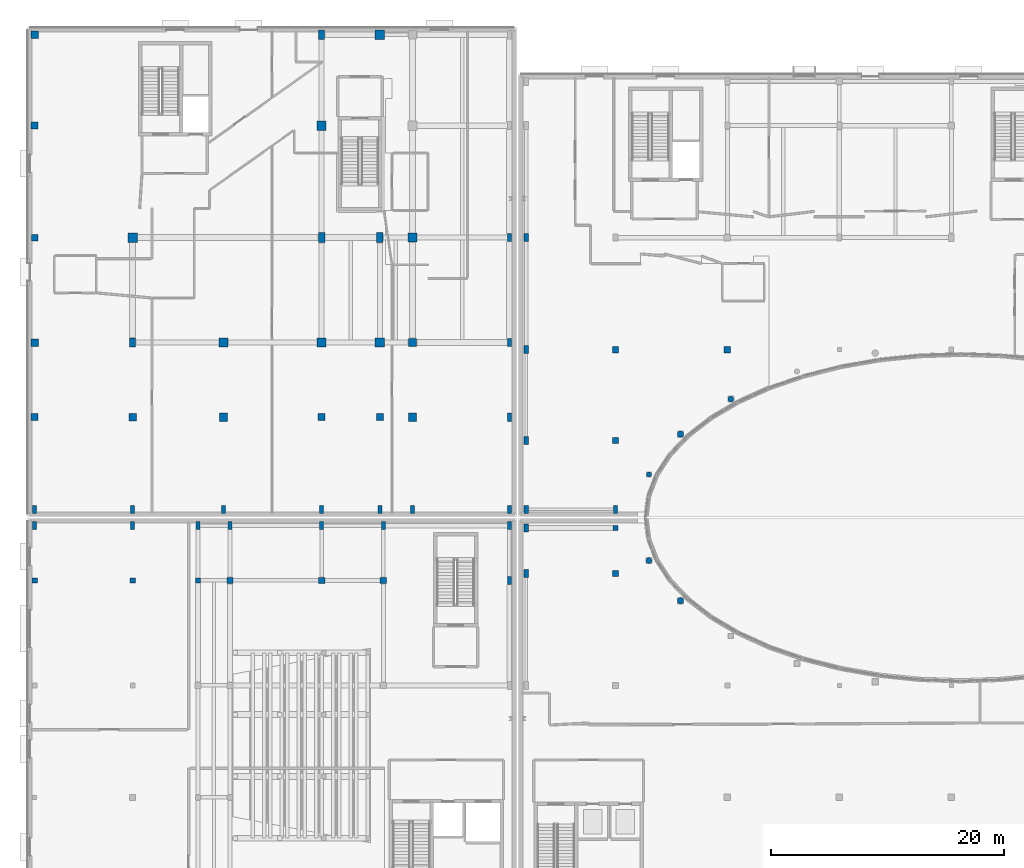
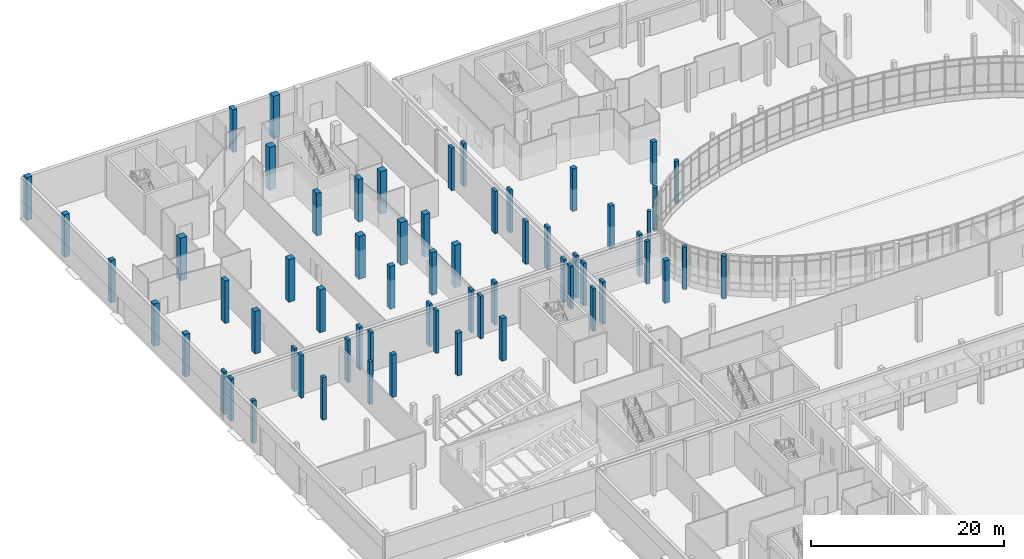
# One storey, part 5 of 84: 63 columns.
"""IFC4 building model written with IfcOpenShell, lengths in metres."""

from ifc_helpers import new_model, si_unit, direction, frame, origin, origin_2d, place, context, subcontext, project, spatial, rectangle, circle, extrude, material, material_profile, profile_set, type_object, element, save


model = new_model("IFC4")

# Units and contexts
model_context = context("Model", 3, precision=1e-05, world=origin(), true_north=direction((0.0, 1.0)))
body_context = subcontext(model_context, "Body", "Model", "MODEL_VIEW")
ifc_project = project(units=[si_unit("LENGTHUNIT", "METRE"), si_unit("AREAUNIT", "SQUARE_METRE"), si_unit("VOLUMEUNIT", "CUBIC_METRE"), si_unit("PLANEANGLEUNIT", "RADIAN"), si_unit("MASSUNIT", "GRAM", prefix="KILO")], contexts=[model_context])

# Site, building, storey
site_placement = place(None, origin())
site = spatial("IfcSite", under=ifc_project, at=site_placement, CompositionType="ELEMENT")
building_placement = place(site_placement, origin())
building = spatial("IfcBuilding", under=site, at=building_placement, Name="Mzevani Central Library", CompositionType="ELEMENT")
storey_placement = place(building_placement, origin())
storey = spatial("IfcBuildingStorey", under=building, at=storey_placement, Name="L00", CompositionType="ELEMENT", Elevation=0.0)

# Columns
ifc_material = material(Name="Concrete C40/50", Category="concrete")
ifc_material_profile_1 = material_profile(ifc_material, rectangle(XDim=0.39990234375, YDim=0.39990234375, at=origin_2d()), Name="RC 400x400")
ifc_profile_set_1 = profile_set([ifc_material_profile_1], Name="Concrete C40/50")
column_type_1 = type_object("IfcColumnType", Name="Column RC 400x400", PredefinedType="COLUMN", material=ifc_profile_set_1)
for number, where, z_axis, x_axis, name in (
    (1, (54.39990234375, 75.10009765625, 0.0), (0.0, 0.0, 1.0), (1.0, 0.0, 0.0), "L00 V1 Column C-02 (6)"),
    (2, (18.60009765625, 70.60009765625, 0.0), (0.0, 0.0, 1.0), (1.0, 0.0, 0.0), "L00 V5 Column C-02 (195)"),
):
    element("IfcColumn", number, at=place(storey_placement, frame(where, z_axis=z_axis, x_axis=x_axis)), inside=storey, type_object=column_type_1, Name=name, PredefinedType="COLUMN", context=body_context, shape_type="SweptSolid", body=[
        extrude(rectangle(XDim=0.39990234375, YDim=0.39990234375, at=origin_2d()), origin(), (0.0, 0.0, 1.0), 5.39990234375),
    ])
ifc_material_profile_2 = material_profile(ifc_material, rectangle(XDim=0.449951171875, YDim=0.449951171875, at=origin_2d()), Name="RC 450x450")
ifc_profile_set_2 = profile_set([ifc_material_profile_2], Name="Concrete C40/50")
column_type_2 = type_object("IfcColumnType", Name="Column RC 450x450", PredefinedType="COLUMN", material=ifc_profile_set_2)
for number, where, z_axis, x_axis, name in (
    (3, (4.60009765625, 70.60009765625, 0.0), (0.0, 0.0, 1.0), (1.0, 0.0, 0.0), "L00 V5 Column C-03 (185)"),
    (4, (13.0, 70.60009765625, 0.0), (0.0, 0.0, 1.0), (1.0, 0.0, 0.0), "L00 V5 Column C-03 (190)"),
):
    element("IfcColumn", number, at=place(storey_placement, frame(where, z_axis=z_axis, x_axis=x_axis)), inside=storey, type_object=column_type_2, Name=name, PredefinedType="COLUMN", context=body_context, shape_type="SweptSolid", body=[
        extrude(rectangle(XDim=0.449951171875, YDim=0.449951171875, at=origin_2d()), origin(), (0.0, 0.0, 1.0), 5.39990234375),
    ])
ifc_material_profile_3 = material_profile(ifc_material, rectangle(XDim=0.5, YDim=0.800048828125, at=origin_2d()), Name="RC 500x800")
ifc_profile_set_3 = profile_set([ifc_material_profile_3], Name="Concrete C40/50")
column_type_3 = type_object("IfcColumnType", Name="Column RC 500x800", PredefinedType="COLUMN", material=ifc_profile_set_3)
for number, where, z_axis, x_axis, name in (
    (5, (13.0, 91.0, 0.0), (0.0, 0.0, 1.0), (1.0, 0.0, 0.0), "L00 V2 Column C-15 (71)"),
    (6, (29.199951171875, 117.39990234375, 0.0), (0.0, 0.0, 1.0), (1.0, 0.0, 0.0), "L00 V2 Column C-15 (82)"),
):
    element("IfcColumn", number, at=place(storey_placement, frame(where, z_axis=z_axis, x_axis=x_axis)), inside=storey, type_object=column_type_3, Name=name, PredefinedType="COLUMN", context=body_context, shape_type="SweptSolid", body=[
        extrude(rectangle(XDim=0.5, YDim=0.800048828125, at=origin_2d()), origin(), (0.0, 0.0, 1.0), 5.39990234375),
    ])
ifc_material_profile_4 = material_profile(ifc_material, rectangle(XDim=0.550048828125, YDim=0.550048828125, at=origin_2d()), Name="RC 550x550")
ifc_profile_set_4 = profile_set([ifc_material_profile_4], Name="Concrete C40/50")
column_type_4 = type_object("IfcColumnType", Name="Column RC 550x550", PredefinedType="COLUMN", material=ifc_profile_set_4)
for number, where, z_axis, x_axis, name in (
    (7, (54.39990234375, 71.199951171875, 0.0), (0.0, 0.0, 1.0), (1.0, 0.0, 0.0), "L00 V1 Column C-05 (5)"),
    (8, (4.60009765625, 100.0, 0.0), (0.0, 0.0, 1.0), (1.0, 0.0, 0.0), "L00 V2 Column C-05 (66)"),
    (9, (54.39990234375, 82.60009765625, 0.0), (0.0, 0.0, 1.0), (1.0, 0.0, 0.0), "L00 V3 Column C-05 (107)"),
    (10, (54.39990234375, 90.39990234375, 0.0), (0.0, 0.0, 1.0), (1.0, 0.0, 0.0), "L00 V3 Column C-05 (108)"),
    (11, (64.0, 90.39990234375, 0.0), (0.0, 0.0, 1.0), (1.0, 0.0, 0.0), "L00 V3 Column C-05 (110)"),
    (12, (21.35009765625, 70.60009765625, 0.0), (0.0, 0.0, 1.0), (1.0, 0.0, 0.0), "L00 V5 Column C-05 (200)"),
    (13, (29.199951171875, 70.60009765625, 0.0), (0.0, 0.0, 1.0), (1.0, 0.0, 0.0), "L00 V5 Column C-05 (203)"),
    (14, (34.5, 70.60009765625, 0.0), (0.0, 0.0, 1.0), (1.0, 0.0, 0.0), "L00 V5 Column C-05 (206)"),
):
    element("IfcColumn", number, at=place(storey_placement, frame(where, z_axis=z_axis, x_axis=x_axis)), inside=storey, type_object=column_type_4, Name=name, PredefinedType="COLUMN", context=body_context, shape_type="SweptSolid", body=[
        extrude(rectangle(XDim=0.550048828125, YDim=0.550048828125, at=origin_2d()), origin(), (0.0, 0.0, 1.0), 5.39990234375),
    ])
ifc_material_profile_5 = material_profile(ifc_material, rectangle(XDim=0.550048828125, YDim=0.85009765625, at=origin_2d()), Name="RC 550x850")
ifc_profile_set_5 = profile_set([ifc_material_profile_5], Name="Concrete C40/50")
column_type_5 = type_object("IfcColumnType", Name="Column RC 550x850", PredefinedType="COLUMN", material=ifc_profile_set_5)
for number, where, z_axis, x_axis, name in (
    (15, (29.199951171875, 100.0, 0.0), (0.0, 0.0, 1.0), (1.0, 0.0, 0.0), "L00 V2 Column C-16 (80)"),
    (16, (34.199951171875, 100.0, 0.0), (0.0, 0.0, 1.0), (1.0, 0.0, 0.0), "L00 V2 Column C-16 (86)"),
):
    element("IfcColumn", number, at=place(storey_placement, frame(where, z_axis=z_axis, x_axis=x_axis)), inside=storey, type_object=column_type_5, Name=name, PredefinedType="COLUMN", context=body_context, shape_type="SweptSolid", body=[
        extrude(rectangle(XDim=0.550048828125, YDim=0.85009765625, at=origin_2d()), origin(), (0.0, 0.0, 1.0), 5.39990234375),
    ])
ifc_material_profile_6 = material_profile(ifc_material, rectangle(XDim=0.60009765625, YDim=0.60009765625, at=origin_2d()), Name="RC 600x600")
ifc_profile_set_6 = profile_set([ifc_material_profile_6], Name="Concrete C40/50")
column_type_6 = type_object("IfcColumnType", Name="Column RC 600x600", PredefinedType="COLUMN", material=ifc_profile_set_6)
for number, where, z_axis, x_axis, name in (
    (17, (4.60009765625, 84.60009765625, 0.0), (0.0, 0.0, 1.0), (1.0, 0.0, 0.0), "L00 V2 Column C-06 (64)"),
    (18, (4.60009765625, 109.60009765625, 0.0), (0.0, 0.0, 1.0), (1.0, 0.0, 0.0), "L00 V2 Column C-06 (67)"),
    (19, (29.199951171875, 84.60009765625, 0.0), (0.0, 0.0, 1.0), (1.0, 0.0, 0.0), "L00 V2 Column C-06 (78)"),
    (20, (34.199951171875, 84.60009765625, 0.0), (0.0, 0.0, 1.0), (1.0, 0.0, 0.0), "L00 V2 Column C-06 (84)"),
):
    element("IfcColumn", number, at=place(storey_placement, frame(where, z_axis=z_axis, x_axis=x_axis)), inside=storey, type_object=column_type_6, Name=name, PredefinedType="COLUMN", context=body_context, shape_type="SweptSolid", body=[
        extrude(rectangle(XDim=0.60009765625, YDim=0.60009765625, at=origin_2d()), origin(), (0.0, 0.0, 1.0), 5.39990234375),
    ])
ifc_material_profile_7 = material_profile(ifc_material, rectangle(XDim=0.64990234375, YDim=0.64990234375, at=origin_2d()), Name="RC 650x650")
ifc_profile_set_7 = profile_set([ifc_material_profile_7], Name="Concrete C40/50")
column_type_7 = type_object("IfcColumnType", Name="Column RC 650x650", PredefinedType="COLUMN", material=ifc_profile_set_7)
for number, where, z_axis, x_axis, name in (
    (21, (4.60009765625, 91.0, 0.0), (0.0, 0.0, 1.0), (1.0, 0.0, 0.0), "L00 V2 Column C-07 (65)"),
    (22, (4.60009765625, 117.39990234375, 0.0), (0.0, 0.0, 1.0), (1.0, 0.0, 0.0), "L00 V2 Column C-07 (68)"),
    (23, (13.0, 84.60009765625, 0.0), (0.0, 0.0, 1.0), (1.0, 0.0, 0.0), "L00 V2 Column C-07 (70)"),
):
    element("IfcColumn", number, at=place(storey_placement, frame(where, z_axis=z_axis, x_axis=x_axis)), inside=storey, type_object=column_type_7, Name=name, PredefinedType="COLUMN", context=body_context, shape_type="SweptSolid", body=[
        extrude(rectangle(XDim=0.64990234375, YDim=0.64990234375, at=origin_2d()), origin(), (0.0, 0.0, 1.0), 5.39990234375),
    ])
ifc_material_profile_8 = material_profile(ifc_material, rectangle(XDim=0.699951171875, YDim=0.699951171875, at=origin_2d()), Name="RC 700x700")
ifc_profile_set_8 = profile_set([ifc_material_profile_8], Name="Concrete C40/50")
column_type_8 = type_object("IfcColumnType", Name="Column RC 700x700", PredefinedType="COLUMN", material=ifc_profile_set_8)
for number, where, z_axis, x_axis, name in (
    (24, (20.800048828125, 84.60009765625, 0.0), (0.0, 0.0, 1.0), (1.0, 0.0, 0.0), "L00 V2 Column C-08 (74)"),
    (25, (37.0, 84.60009765625, 0.0), (0.0, 0.0, 1.0), (1.0, 0.0, 0.0), "L00 V2 Column C-08 (89)"),
    (26, (37.0, 91.0, 0.0), (0.0, 0.0, 1.0), (1.0, 0.0, 0.0), "L00 V2 Column C-08 (90)"),
):
    element("IfcColumn", number, at=place(storey_placement, frame(where, z_axis=z_axis, x_axis=x_axis)), inside=storey, type_object=column_type_8, Name=name, PredefinedType="COLUMN", context=body_context, shape_type="SweptSolid", body=[
        extrude(rectangle(XDim=0.699951171875, YDim=0.699951171875, at=origin_2d()), origin(), (0.0, 0.0, 1.0), 5.39990234375),
    ])
ifc_material_profile_9 = material_profile(ifc_material, rectangle(XDim=0.75, YDim=0.75, at=origin_2d()), Name="RC 750x750")
ifc_profile_set_9 = profile_set([ifc_material_profile_9], Name="Concrete C40/50")
column_type_9 = type_object("IfcColumnType", Name="Column RC 750x750", PredefinedType="COLUMN", material=ifc_profile_set_9)
for number, where, z_axis, x_axis, name in (
    (27, (20.800048828125, 91.0, 0.0), (0.0, 0.0, 1.0), (1.0, 0.0, 0.0), "L00 V2 Column C-09 (75)"),
    (28, (37.0, 100.0, 0.0), (0.0, 0.0, 1.0), (1.0, 0.0, 0.0), "L00 V2 Column C-09 (91)"),
):
    element("IfcColumn", number, at=place(storey_placement, frame(where, z_axis=z_axis, x_axis=x_axis)), inside=storey, type_object=column_type_9, Name=name, PredefinedType="COLUMN", context=body_context, shape_type="SweptSolid", body=[
        extrude(rectangle(XDim=0.75, YDim=0.75, at=origin_2d()), origin(), (0.0, 0.0, 1.0), 5.39990234375),
    ])
ifc_material_profile_10 = material_profile(ifc_material, rectangle(XDim=0.800048828125, YDim=0.800048828125, at=origin_2d()), Name="RC 800x800")
ifc_profile_set_10 = profile_set([ifc_material_profile_10], Name="Concrete C40/50")
column_type_10 = type_object("IfcColumnType", Name="Column RC 800x800", PredefinedType="COLUMN", material=ifc_profile_set_10)
for number, where, z_axis, x_axis, name in (
    (29, (13.0, 100.0, 0.0), (0.0, 0.0, 1.0), (1.0, 0.0, 0.0), "L00 V2 Column C-10 (72)"),
    (30, (29.199951171875, 91.0, 0.0), (0.0, 0.0, 1.0), (1.0, 0.0, 0.0), "L00 V2 Column C-10 (79)"),
    (31, (29.199951171875, 109.60009765625, 0.0), (0.0, 0.0, 1.0), (1.0, 0.0, 0.0), "L00 V2 Column C-10 (81)"),
    (32, (34.199951171875, 91.0, 0.0), (0.0, 0.0, 1.0), (1.0, 0.0, 0.0), "L00 V2 Column C-10 (85)"),
    (33, (34.199951171875, 117.39990234375, 0.0), (0.0, 0.0, 1.0), (1.0, 0.0, 0.0), "L00 V2 Column C-10 (87)"),
):
    element("IfcColumn", number, at=place(storey_placement, frame(where, z_axis=z_axis, x_axis=x_axis)), inside=storey, type_object=column_type_10, Name=name, PredefinedType="COLUMN", context=body_context, shape_type="SweptSolid", body=[
        extrude(rectangle(XDim=0.800048828125, YDim=0.800048828125, at=origin_2d()), origin(), (0.0, 0.0, 1.0), 5.39990234375),
    ])
ifc_material_profile_11 = material_profile(ifc_material, circle(Radius=0.22509765625, at=origin_2d()), Name="RC D450")
ifc_profile_set_11 = profile_set([ifc_material_profile_11], Name="Concrete C40/50")
column_type_11 = type_object("IfcColumnType", Name="Court Column RC D450", PredefinedType="COLUMN", material=ifc_profile_set_11)
column_placement = place(storey_placement, frame((57.27099609375, 79.69091796875, 0.0), z_axis=(0.0, 0.0, 1.0), x_axis=(1.0, 0.0, 0.0)))
element("IfcColumn", 34, at=column_placement, inside=storey, type_object=column_type_11, Name="L00 V3 Column CC-02 (165)", PredefinedType="COLUMN", context=body_context, shape_type="SweptSolid", body=[
    extrude(circle(Radius=0.22509765625, at=origin_2d()), origin(), (0.0, 0.0, 1.0), 5.39990234375),
])
ifc_material_profile_12 = material_profile(ifc_material, circle(Radius=0.25, at=origin_2d()), Name="RC D500")
ifc_profile_set_12 = profile_set([ifc_material_profile_12], Name="Concrete C40/50")
column_type_12 = type_object("IfcColumnType", Name="Court Column RC D500", PredefinedType="COLUMN", material=ifc_profile_set_12)
for number, where, z_axis, x_axis, name in (
    (35, (57.27099609375, 72.30908203125, 0.0), (0.0, 0.0, 1.0), (1.0, 0.0, 0.0), "L00 V1 Column CC-03 (55)"),
    (36, (64.2939453125, 86.156005859375, 0.0), (0.0, 0.0, 1.0), (1.0, 0.0, 0.0), "L00 V3 Column CC-03 (163)"),
):
    element("IfcColumn", number, at=place(storey_placement, frame(where, z_axis=z_axis, x_axis=x_axis)), inside=storey, type_object=column_type_12, Name=name, PredefinedType="COLUMN", context=body_context, shape_type="SweptSolid", body=[
        extrude(circle(Radius=0.25, at=origin_2d()), origin(), (0.0, 0.0, 1.0), 5.39990234375),
    ])
ifc_material_profile_13 = material_profile(ifc_material, circle(Radius=0.27490234375, at=origin_2d()), Name="RC D550")
ifc_profile_set_13 = profile_set([ifc_material_profile_13], Name="Concrete C40/50")
column_type_13 = type_object("IfcColumnType", Name="Court Column RC D550", PredefinedType="COLUMN", material=ifc_profile_set_13)
for number, where, z_axis, x_axis, name in (
    (37, (59.97607421875, 68.85107421875, 0.0), (0.0, 0.0, 1.0), (1.0, 0.0, 0.0), "L00 V1 Column CC-04 (56)"),
    (38, (59.97607421875, 83.14892578125, 0.0), (0.0, 0.0, 1.0), (1.0, 0.0, 0.0), "L00 V3 Column CC-04 (164)"),
):
    element("IfcColumn", number, at=place(storey_placement, frame(where, z_axis=z_axis, x_axis=x_axis)), inside=storey, type_object=column_type_13, Name=name, PredefinedType="COLUMN", context=body_context, shape_type="SweptSolid", body=[
        extrude(circle(Radius=0.27490234375, at=origin_2d()), origin(), (0.0, 0.0, 1.0), 5.39990234375),
    ])
ifc_material_profile_14 = material_profile(ifc_material, rectangle(XDim=0.35009765625, YDim=0.699951171875, at=origin_2d()), Name="RC 350x700")
ifc_profile_set_14 = profile_set([ifc_material_profile_14], Name="Concrete C40/50")
column_type_14 = type_object("IfcColumnType", Name="Joint Twin Column RC 350x700", PredefinedType="COLUMN", material=ifc_profile_set_14)
for number, where, z_axis, x_axis, name in (
    (39, (46.75, 71.199951171875, 0.0), (0.0, 0.0, 1.0), (1.0, 0.0, 0.0), "L00 V1 Column C-18 (2)"),
    (40, (46.75, 75.10009765625, 0.0), (0.0, 0.0, 1.0), (1.0, 0.0, 0.0), "L00 V1 Column C-18 (3)"),
    (41, (4.60009765625, 76.699951171875, 0.0), (0.0, 0.0, 1.0), (1.0, 0.0, 0.0), "L00 V2 Column C-18 (63)"),
    (42, (13.0, 76.699951171875, 0.0), (0.0, 0.0, 1.0), (1.0, 0.0, 0.0), "L00 V2 Column C-18 (69)"),
    (43, (20.800048828125, 76.699951171875, 0.0), (0.0, 0.0, 1.0), (1.0, 0.0, 0.0), "L00 V2 Column C-18 (73)"),
    (44, (29.199951171875, 76.699951171875, 0.0), (0.0, 0.0, 1.0), (1.0, 0.0, 0.0), "L00 V2 Column C-18 (77)"),
    (45, (34.199951171875, 76.699951171875, 0.0), (0.0, 0.0, 1.0), (1.0, 0.0, 0.0), "L00 V2 Column C-18 (83)"),
    (46, (37.0, 76.699951171875, 0.0), (0.0, 0.0, 1.0), (1.0, 0.0, 0.0), "L00 V2 Column C-18 (88)"),
    (47, (45.300048828125, 76.699951171875, 0.0), (0.0, 0.0, 1.0), (1.0, 0.0, 0.0), "L00 V2 Column C-18 (94)"),
    (48, (45.300048828125, 84.60009765625, 0.0), (0.0, 0.0, 1.0), (1.0, 0.0, 0.0), "L00 V2 Column C-18 (95)"),
    (49, (45.300048828125, 91.0, 0.0), (0.0, 0.0, 1.0), (1.0, 0.0, 0.0), "L00 V2 Column C-18 (96)"),
    (50, (45.300048828125, 100.0, 0.0), (0.0, 0.0, 1.0), (1.0, 0.0, 0.0), "L00 V2 Column C-18 (97)"),
    (51, (46.75, 76.699951171875, 0.0), (0.0, 0.0, 1.0), (1.0, 0.0, 0.0), "L00 V3 Column C-18 (100)"),
    (52, (46.75, 82.60009765625, 0.0), (0.0, 0.0, 1.0), (1.0, 0.0, 0.0), "L00 V3 Column C-18 (101)"),
    (53, (46.75, 90.39990234375, 0.0), (0.0, 0.0, 1.0), (1.0, 0.0, 0.0), "L00 V3 Column C-18 (102)"),
    (54, (46.75, 100.0, 0.0), (0.0, 0.0, 1.0), (1.0, 0.0, 0.0), "L00 V3 Column C-18 (103)"),
    (55, (54.39990234375, 76.699951171875, 0.0), (0.0, 0.0, 1.0), (1.0, 0.0, 0.0), "L00 V3 Column C-18 (106)"),
    (56, (4.60009765625, 75.300048828125, 0.0), (0.0, 0.0, 1.0), (1.0, 0.0, 0.0), "L00 V5 Column C-18 (186)"),
    (57, (13.0, 75.300048828125, 0.0), (0.0, 0.0, 1.0), (1.0, 0.0, 0.0), "L00 V5 Column C-18 (191)"),
    (58, (18.60009765625, 75.300048828125, 0.0), (0.0, 0.0, 1.0), (1.0, 0.0, 0.0), "L00 V5 Column C-18 (196)"),
    (59, (21.35009765625, 75.300048828125, 0.0), (0.0, 0.0, 1.0), (1.0, 0.0, 0.0), "L00 V5 Column C-18 (201)"),
    (60, (29.199951171875, 75.300048828125, 0.0), (0.0, 0.0, 1.0), (1.0, 0.0, 0.0), "L00 V5 Column C-18 (204)"),
    (61, (34.5, 75.300048828125, 0.0), (0.0, 0.0, 1.0), (1.0, 0.0, 0.0), "L00 V5 Column C-18 (207)"),
    (62, (45.300048828125, 70.60009765625, 0.0), (0.0, 0.0, 1.0), (1.0, 0.0, 0.0), "L00 V5 Column C-18 (209)"),
    (63, (45.300048828125, 75.300048828125, 0.0), (0.0, 0.0, 1.0), (1.0, 0.0, 0.0), "L00 V5 Column C-18 (210)"),
):
    element("IfcColumn", number, at=place(storey_placement, frame(where, z_axis=z_axis, x_axis=x_axis)), inside=storey, type_object=column_type_14, Name=name, PredefinedType="COLUMN", context=body_context, shape_type="SweptSolid", body=[
        extrude(rectangle(XDim=0.35009765625, YDim=0.699951171875, at=origin_2d()), origin(), (0.0, 0.0, 1.0), 5.39990234375),
    ])

save(model, "model.ifc")
